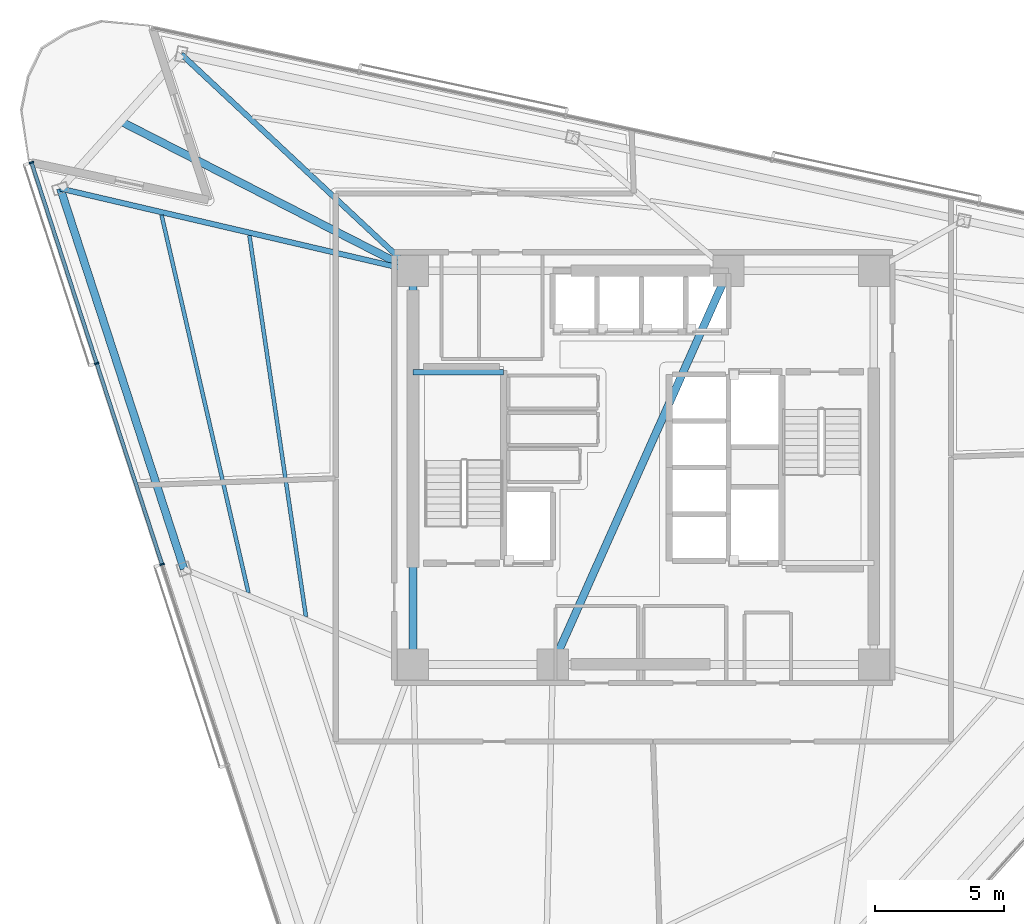
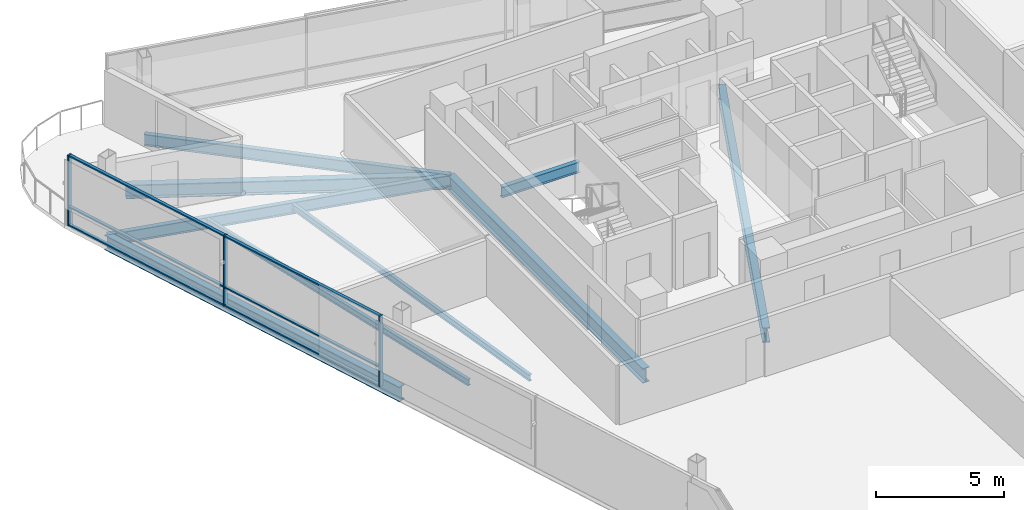
# One storey, part 5 of 17: 9 beams, 9 members, 1 element without a shape of its own.
"""IFC4 building model written with IfcOpenShell, lengths in metres."""

from ifc_helpers import new_model, si_unit, direction, frame, origin, origin_2d, place, context, subcontext, project, spatial, rectangle, i_section, extrude, material, layer, layer_set, material_profile, profile_set, type_object, element, aggregate, save


model = new_model("IFC4")

# Units and contexts
model_context = context("Model", 3, precision=1e-05, world=origin(), true_north=direction((0.0, 1.0)))
body_context = subcontext(model_context, "Body", "Model", "MODEL_VIEW")
ifc_project = project(units=[si_unit("LENGTHUNIT", "METRE"), si_unit("AREAUNIT", "SQUARE_METRE"), si_unit("VOLUMEUNIT", "CUBIC_METRE"), si_unit("PLANEANGLEUNIT", "RADIAN"), si_unit("MASSUNIT", "GRAM", prefix="KILO")], contexts=[model_context])

# Site, building, storey
site_placement = place(None, origin())
site = spatial("IfcSite", under=ifc_project, at=site_placement, CompositionType="ELEMENT")
building_placement = place(site_placement, origin())
building = spatial("IfcBuilding", under=site, at=building_placement, Name="Tharavind Bronze Gate", CompositionType="ELEMENT")
storey_placement = place(building_placement, frame((0.0, 0.0, 218.449951171875)))
storey = spatial("IfcBuildingStorey", under=building, at=storey_placement, Name="L56", CompositionType="ELEMENT", Elevation=218.449951171875)

# Curtain wall, members
ifc_material_1 = material(Name="Anodised Bronze Aluminium", Category="aluminium")
ifc_layer = layer(ifc_material_1, 0.219970703125)
ifc_layer_set = layer_set([ifc_layer], Name="Anodised Bronze Aluminium")
curtain_wall_type = type_object("IfcCurtainWallType", Name="UNITISED CURTAIN WALL MID OFFICE", PredefinedType="USERDEFINED", material=ifc_layer_set)
curtain_wall_placement = place(storey_placement, origin())
curtain_wall = element("IfcCurtainWall", 1, at=curtain_wall_placement, inside=storey, type_object=curtain_wall_type, Name="L56 unitised curtain wall mid office CW-L56-S1", ObjectType="UNITISED CURTAIN WALL", PredefinedType="USERDEFINED")
member_type_1 = type_object("IfcMemberType", Name="CURTAIN WALL BRONZE MULLION 65X180", PredefinedType="MULLION", material=ifc_material_1)
member_1_placement = place(storey_placement, frame((-23.630126953125, 11.780517578125, 0.0), z_axis=(0.0, 0.0, 1.0), x_axis=(0.309016994375, -0.951056516295, 0.0)))
member_1 = element("IfcMember", 2, at=member_1_placement, type_object=member_type_1, Name="CW-L56-S1 mullion 1", PredefinedType="MULLION", context=body_context, shape_type="SweptSolid", body=[
    extrude(rectangle(XDim=0.06494140625, YDim=0.179931640625, at=origin_2d()), origin(), (0.0, 0.0, 1.0), 3.360107421875),
])
member_2_placement = place(storey_placement, frame((-21.10986328125, 4.02392578125, 0.0), z_axis=(0.0, 0.0, 1.0), x_axis=(0.309016994375, -0.951056516295, 0.0)))
member_2 = element("IfcMember", 3, at=member_2_placement, type_object=member_type_1, Name="CW-L56-S1 mullion 2", PredefinedType="MULLION", context=body_context, shape_type="SweptSolid", body=[
    extrude(rectangle(XDim=0.06494140625, YDim=0.179931640625, at=origin_2d()), origin(), (0.0, 0.0, 1.0), 3.360107421875),
])
member_3_placement = place(storey_placement, frame((-18.589599609375, -3.732666015625, 0.0), z_axis=(0.0, 0.0, 1.0), x_axis=(0.309016994375, -0.951056516295, 0.0)))
member_3 = element("IfcMember", 4, at=member_3_placement, type_object=member_type_1, Name="CW-L56-S1 mullion 3", PredefinedType="MULLION", context=body_context, shape_type="SweptSolid", body=[
    extrude(rectangle(XDim=0.06494140625, YDim=0.179931640625, at=origin_2d()), origin(), (0.0, 0.0, 1.0), 3.360107421875),
])
member_type_2 = type_object("IfcMemberType", Name="CURTAIN WALL BRONZE TRANSOM 65X140", PredefinedType="USERDEFINED", material=ifc_material_1)
member_4_placement = place(storey_placement, frame((-22.3701171875, 7.902099609375, 0.0), z_axis=(0.0, 0.0, 1.0), x_axis=(0.309016994375, -0.951056516295, 0.0)))
member_4 = element("IfcMember", 5, at=member_4_placement, type_object=member_type_2, Name="CW-L56-S1 transom TB1", ObjectType="TRANSOM", PredefinedType="USERDEFINED", context=body_context, shape_type="SweptSolid", body=[
    extrude(rectangle(XDim=8.102783203125, YDim=0.139892578125, at=origin_2d()), origin(), (0.0, 0.0, 1.0), 0.06494140625),
])
member_5_placement = place(storey_placement, frame((-22.3701171875, 7.902099609375, 0.86767578125), z_axis=(0.0, 0.0, 1.0), x_axis=(0.309016994375, -0.951056516295, 0.0)))
member_5 = element("IfcMember", 6, at=member_5_placement, type_object=member_type_2, Name="CW-L56-S1 transom TS1", ObjectType="TRANSOM", PredefinedType="USERDEFINED", context=body_context, shape_type="SweptSolid", body=[
    extrude(rectangle(XDim=8.102783203125, YDim=0.139892578125, at=origin_2d()), origin(), (0.0, 0.0, 1.0), 0.06494140625),
])
member_6_placement = place(storey_placement, frame((-22.3701171875, 7.902099609375, 3.295166015625), z_axis=(0.0, 0.0, 1.0), x_axis=(0.309016994375, -0.951056516295, 0.0)))
member_6 = element("IfcMember", 7, at=member_6_placement, type_object=member_type_2, Name="CW-L56-S1 transom TT1", ObjectType="TRANSOM", PredefinedType="USERDEFINED", context=body_context, shape_type="SweptSolid", body=[
    extrude(rectangle(XDim=8.102783203125, YDim=0.139892578125, at=origin_2d()), origin(), (0.0, 0.0, 1.0), 0.06494140625),
])
member_7_placement = place(storey_placement, frame((-19.849853515625, 0.145751953125, 0.0), z_axis=(0.0, 0.0, 1.0), x_axis=(0.309016994375, -0.951056516295, 0.0)))
member_7 = element("IfcMember", 8, at=member_7_placement, type_object=member_type_2, Name="CW-L56-S1 transom TB2", ObjectType="TRANSOM", PredefinedType="USERDEFINED", context=body_context, shape_type="SweptSolid", body=[
    extrude(rectangle(XDim=8.102783203125, YDim=0.139892578125, at=origin_2d()), origin(), (0.0, 0.0, 1.0), 0.06494140625),
])
member_8_placement = place(storey_placement, frame((-19.849853515625, 0.145751953125, 0.86767578125), z_axis=(0.0, 0.0, 1.0), x_axis=(0.309016994375, -0.951056516295, 0.0)))
member_8 = element("IfcMember", 9, at=member_8_placement, type_object=member_type_2, Name="CW-L56-S1 transom TS2", ObjectType="TRANSOM", PredefinedType="USERDEFINED", context=body_context, shape_type="SweptSolid", body=[
    extrude(rectangle(XDim=8.102783203125, YDim=0.139892578125, at=origin_2d()), origin(), (0.0, 0.0, 1.0), 0.06494140625),
])
member_9_placement = place(storey_placement, frame((-19.849853515625, 0.145751953125, 3.295166015625), z_axis=(0.0, 0.0, 1.0), x_axis=(0.309016994375, -0.951056516295, 0.0)))
member_9 = element("IfcMember", 10, at=member_9_placement, type_object=member_type_2, Name="CW-L56-S1 transom TT2", ObjectType="TRANSOM", PredefinedType="USERDEFINED", context=body_context, shape_type="SweptSolid", body=[
    extrude(rectangle(XDim=8.102783203125, YDim=0.139892578125, at=origin_2d()), origin(), (0.0, 0.0, 1.0), 0.06494140625),
])
aggregate(curtain_wall, [member_1, member_2, member_3, member_4, member_5, member_6, member_7, member_8, member_9])

# Beams
ifc_material_2 = material(Name="Steel S355", Category="steel")
ifc_material_profile_1 = material_profile(ifc_material_2, i_section(OverallWidth=0.300048828125, OverallDepth=0.64990234375, WebThickness=0.01611328125, FlangeThickness=0.031005859375, at=origin_2d()), Name="HE650B")
ifc_profile_set_1 = profile_set([ifc_material_profile_1], Name="Steel S355")
beam_type_1 = type_object("IfcBeamType", Name="PRIMARY GIRDER HE650B", PredefinedType="USERDEFINED", material=ifc_profile_set_1)
beam_1_placement = place(storey_placement, frame((-8.89990234375, 7.60009765625, -0.5048828125), z_axis=(-0.890281411762, 0.455410812202, 0.0), x_axis=(-0.455410812202, -0.890281411762, 0.0)))
element("IfcBeam", 11, at=beam_1_placement, inside=storey, type_object=beam_type_1, Name="L56 primary girder he650b BM-L56-BLCSB", ObjectType="GIRDER", PredefinedType="USERDEFINED", context=body_context, shape_type="SweptSolid", body=[
    extrude(i_section(OverallWidth=0.300048828125, OverallDepth=0.64990234375, WebThickness=0.01611328125, FlangeThickness=0.031005859375, at=origin_2d()), origin(), (0.0, 0.0, 1.0), 12.67041015625),
])
ifc_material_profile_2 = material_profile(ifc_material_2, i_section(OverallWidth=0.199951171875, OverallDepth=0.5, WebThickness=0.01025390625, FlangeThickness=0.01611328125, at=origin_2d()), Name="IPE500")
ifc_profile_set_2 = profile_set([ifc_material_profile_2], Name="Steel S355")
beam_type_2 = type_object("IfcBeamType", Name="PRIMARY GIRDER IPE500", PredefinedType="USERDEFINED", material=ifc_profile_set_2)
beam_2_placement = place(storey_placement, frame((-8.89990234375, 3.679931640625, 1.35009765625), z_axis=(1.0, 0.0, 0.0), x_axis=(0.0, 1.0, 0.0)))
element("IfcBeam", 12, at=beam_2_placement, inside=storey, type_object=beam_type_2, Name="L56 primary girder ipe500 BM-LD-ST1-L56-1", ObjectType="GIRDER", PredefinedType="USERDEFINED", context=body_context, shape_type="SweptSolid", body=[
    extrude(i_section(OverallWidth=0.199951171875, OverallDepth=0.5, WebThickness=0.01025390625, FlangeThickness=0.01611328125, at=origin_2d()), origin(), (0.0, 0.0, 1.0), 3.5),
])
ifc_material_profile_3 = material_profile(ifc_material_2, i_section(OverallWidth=0.2099609375, OverallDepth=0.550048828125, WebThickness=0.010986328125, FlangeThickness=0.01708984375, at=origin_2d()), Name="IPE550")
ifc_profile_set_3 = profile_set([ifc_material_profile_3], Name="Steel S355")
beam_type_3 = type_object("IfcBeamType", Name="PRIMARY GIRDER IPE550", PredefinedType="USERDEFINED", material=ifc_profile_set_3)
beam_3_placement = place(storey_placement, frame((-22.515380859375, 10.77685546875, -0.454833984375), z_axis=(0.973844172145, -0.227216919219, 0.0), x_axis=(0.227216919219, 0.973844172145, 0.0)))
element("IfcBeam", 13, at=beam_3_placement, inside=storey, type_object=beam_type_3, Name="L56 primary girder ipe550 BM-L56-RAD01", ObjectType="GIRDER", PredefinedType="USERDEFINED", context=body_context, shape_type="SweptSolid", body=[
    extrude(i_section(OverallWidth=0.2099609375, OverallDepth=0.550048828125, WebThickness=0.010986328125, FlangeThickness=0.01708984375, at=origin_2d()), origin(), (0.0, 0.0, 1.0), 13.981201171875),
])
beam_4_placement = place(storey_placement, frame((-17.844970703125, 15.9638671875, -0.454833984375), z_axis=(0.730442397204, -0.682974307252, 0.0), x_axis=(0.682974307252, 0.730442397204, 0.0)))
element("IfcBeam", 14, at=beam_4_placement, inside=storey, type_object=beam_type_3, Name="L56 primary girder ipe550 BM-L56-RAD12", ObjectType="GIRDER", PredefinedType="USERDEFINED", context=body_context, shape_type="SweptSolid", body=[
    extrude(i_section(OverallWidth=0.2099609375, OverallDepth=0.550048828125, WebThickness=0.010986328125, FlangeThickness=0.01708984375, at=origin_2d()), origin(), (0.0, 0.0, 1.0), 12.24609375),
])
ifc_material_profile_4 = material_profile(ifc_material_2, i_section(OverallWidth=0.300048828125, OverallDepth=0.699951171875, WebThickness=0.01708984375, FlangeThickness=0.031982421875, at=origin_2d()), Name="HE700B")
ifc_profile_set_4 = profile_set([ifc_material_profile_4], Name="Steel S355")
beam_type_4 = type_object("IfcBeamType", Name="RING GIRDER HE700B", PredefinedType="USERDEFINED", material=ifc_profile_set_4)
beam_5_placement = place(storey_placement, frame((-8.89990234375, 7.60009765625, -0.530029296875), z_axis=(0.0, -1.0, 0.0), x_axis=(1.0, 0.0, 0.0)))
element("IfcBeam", 15, at=beam_5_placement, inside=storey, type_object=beam_type_4, Name="L56 ring girder he700b BM-L56-CR6", ObjectType="GIRDER", PredefinedType="USERDEFINED", context=body_context, shape_type="SweptSolid", body=[
    extrude(i_section(OverallWidth=0.300048828125, OverallDepth=0.699951171875, WebThickness=0.01708984375, FlangeThickness=0.031982421875, at=origin_2d()), origin(), (0.0, 0.0, 1.0), 15.2001953125),
])
beam_6_placement = place(storey_placement, frame((-3.5, -7.60009765625, -0.530029296875), z_axis=(0.407361644566, 0.913266932795, 0.0), x_axis=(-0.913266932795, 0.407361644566, 0.0)))
element("IfcBeam", 16, at=beam_6_placement, inside=storey, type_object=beam_type_4, Name="L56 ring girder he700b BM-L56-CR7", ObjectType="GIRDER", PredefinedType="USERDEFINED", context=body_context, shape_type="SweptSolid", body=[
    extrude(i_section(OverallWidth=0.300048828125, OverallDepth=0.699951171875, WebThickness=0.01708984375, FlangeThickness=0.031982421875, at=origin_2d()), origin(), (0.0, 0.0, 1.0), 16.643798828125),
])
beam_7_placement = place(storey_placement, frame((-22.515380859375, 10.77685546875, -0.530029296875), z_axis=(0.309006009957, -0.951060085279, 0.0), x_axis=(0.951060085279, 0.309006009957, 0.0)))
element("IfcBeam", 17, at=beam_7_placement, inside=storey, type_object=beam_type_4, Name="L56 ring girder he700b BM-L56-PRG01", ObjectType="GIRDER", PredefinedType="USERDEFINED", context=body_context, shape_type="SweptSolid", body=[
    extrude(i_section(OverallWidth=0.300048828125, OverallDepth=0.699951171875, WebThickness=0.01708984375, FlangeThickness=0.031982421875, at=origin_2d()), origin(), (0.0, 0.0, 1.0), 15.4453125),
])
ifc_material_profile_5 = material_profile(ifc_material_2, i_section(OverallWidth=0.14990234375, OverallDepth=0.300048828125, WebThickness=0.007080078125, FlangeThickness=0.0107421875, at=origin_2d()), Name="IPE300")
ifc_profile_set_5 = profile_set([ifc_material_profile_5], Name="Steel S355")
beam_type_5 = type_object("IfcBeamType", Name="SECONDARY FLOOR JOIST IPE300", PredefinedType="JOIST", material=ifc_profile_set_5)
beam_8_placement = place(storey_placement, frame((-15.214111328125, 8.961669921875, -0.329833984375), z_axis=(0.146719879942, -0.989178081454, 0.0), x_axis=(0.989178081454, 0.146719879942, 0.0)))
element("IfcBeam", 18, at=beam_8_placement, inside=storey, type_object=beam_type_5, Name="L56 secondary floor joist ipe300 BM-L56-JSTA01", PredefinedType="JOIST", context=body_context, shape_type="SweptSolid", body=[
    extrude(i_section(OverallWidth=0.14990234375, OverallDepth=0.300048828125, WebThickness=0.007080078125, FlangeThickness=0.0107421875, at=origin_2d()), origin(), (0.0, 0.0, 1.0), 14.8828125),
])
beam_9_placement = place(storey_placement, frame((-18.60791015625, 9.753662109375, -0.329833984375), z_axis=(0.224186420064, -0.974546278562, 0.0), x_axis=(0.974546278562, 0.224186420064, 0.0)))
element("IfcBeam", 19, at=beam_9_placement, inside=storey, type_object=beam_type_5, Name="L56 secondary floor joist ipe300 BM-L56-JSTB01", PredefinedType="JOIST", context=body_context, shape_type="SweptSolid", body=[
    extrude(i_section(OverallWidth=0.14990234375, OverallDepth=0.300048828125, WebThickness=0.007080078125, FlangeThickness=0.0107421875, at=origin_2d()), origin(), (0.0, 0.0, 1.0), 14.968505859375),
])

save(model, "model.ifc")
